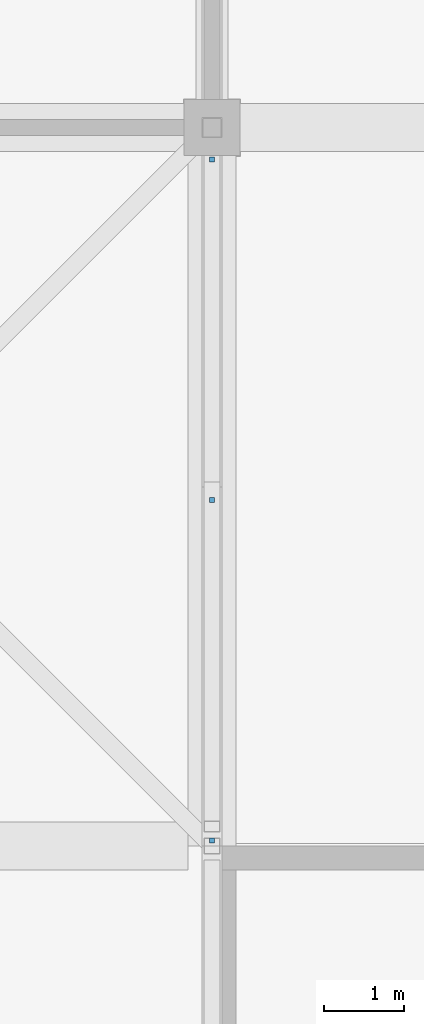
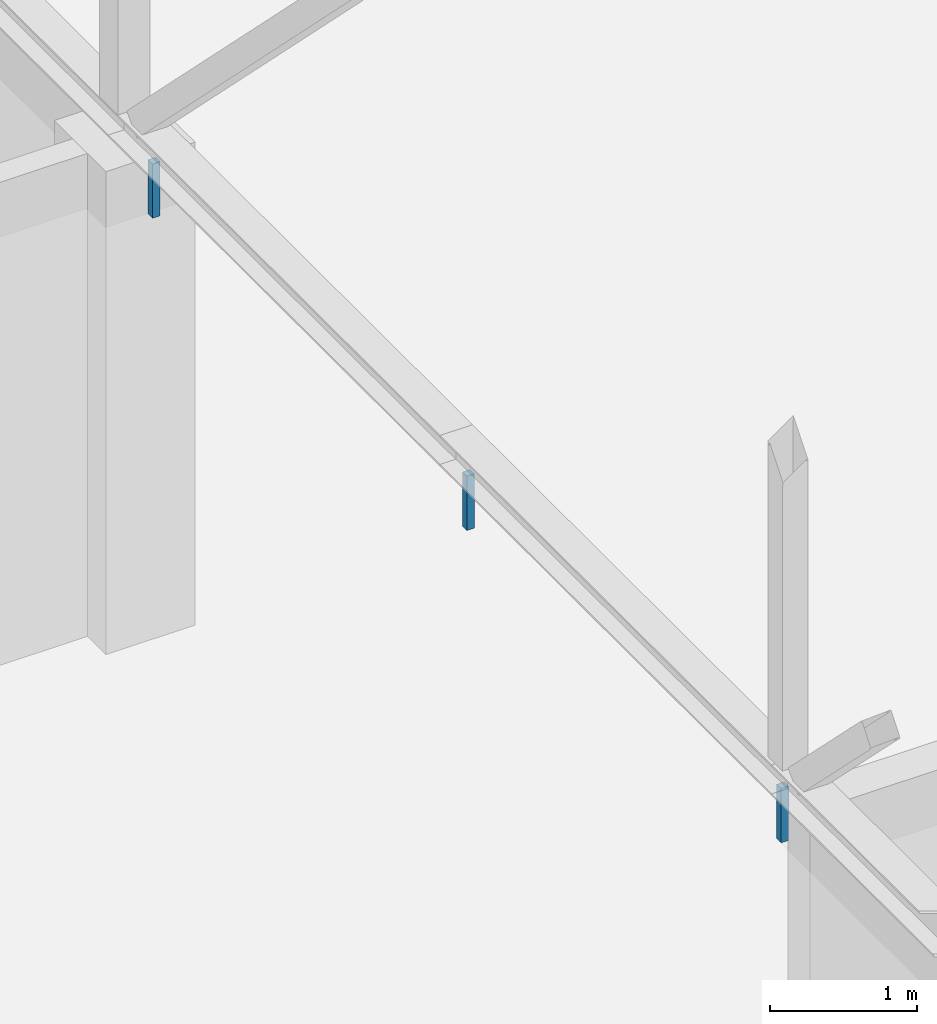
# One storey, part 193 of 646: 3 discrete accessories.
"""IFC4 building model written with IfcOpenShell, lengths in metres."""

import ifcopenshell
import ifcopenshell.guid

model = None  # the IFC model being written
_history = None  # IfcOwnerHistory: only IFC2X3 demands one
_inside = {}  # id of a spatial element -> (the spatial element, [elements in it])
_under = {}  # id of a project, library or spatial element -> (it, [spatial elements below it])
_declared = {}  # id of a project -> (the project, [libraries it declares])
_typed = {}  # id of a type object -> (the type object, [elements of that type])
_made_of = {}  # id of a material, layer set ... -> (it, [elements and type objects made of it])


def new_model(schema):
    """Start an empty IFC model of exactly this schema.

    Asked for "IFC4X3", IfcOpenShell would pick the latest addendum, in which some entities
    have other attributes; the version numbers below select the first issue.
    IFC2X3 requires an IfcOwnerHistory on every rooted entity: one is made here for all.
    """
    global model, _history
    if schema == "IFC4X3":
        model = ifcopenshell.file(schema_version=(4, 3, 0, 0))
    else:
        model = ifcopenshell.file(schema=schema)
    _inside.clear()
    _under.clear()
    _declared.clear()
    _typed.clear()
    _made_of.clear()
    _history = None
    if model.schema == "IFC2X3":
        org = make("IfcOrganization", Name="unknown")
        user = make(
            "IfcPersonAndOrganization",
            ThePerson=make("IfcPerson", FamilyName="unknown"),
            TheOrganization=org,
        )
        app = make(
            "IfcApplication",
            ApplicationDeveloper=org,
            Version="unknown",
            ApplicationFullName="unknown",
            ApplicationIdentifier="unknown",
        )
        _history = make(
            "IfcOwnerHistory",
            OwningUser=user,
            OwningApplication=app,
            ChangeAction="ADDED",
            CreationDate=0,
        )
    return model


def make(cls, **values):
    """One entity of the class cls with the attributes given. An attribute that is None is left unset."""
    return model.create_entity(
        cls, **{name: value for name, value in values.items() if value is not None}
    )


def rooted(cls, **values):
    """An entity with a GlobalId (a new one), such as an element, a storey or a relation."""
    return make(cls, GlobalId=ifcopenshell.guid.new(), OwnerHistory=_history, **values)


def si_unit(unit_type, name, prefix=None):
    """IfcSIUnit, for example si_unit("LENGTHUNIT", "METRE", prefix="MILLI")."""
    return make("IfcSIUnit", UnitType=unit_type, Prefix=prefix, Name=name)


def assignment(units):
    """IfcUnitAssignment: the units of a project."""
    return None if units is None else make("IfcUnitAssignment", Units=units)


def point(xyz):
    """IfcCartesianPoint."""
    return None if xyz is None else make("IfcCartesianPoint", Coordinates=xyz)


def direction(xyz):
    """IfcDirection."""
    return None if xyz is None else make("IfcDirection", DirectionRatios=xyz)


def frame(location, z_axis=None, x_axis=None):
    """IfcAxis2Placement3D, a coordinate frame: its origin and axes. An axis left out is left unset."""
    return make(
        "IfcAxis2Placement3D",
        Location=point(location),
        Axis=direction(z_axis),
        RefDirection=direction(x_axis),
    )


def frame_2d(location, x_axis=None):
    """IfcAxis2Placement2D, a coordinate frame in the plane: its origin and x axis."""
    return make(
        "IfcAxis2Placement2D", Location=point(location), RefDirection=direction(x_axis)
    )


def origin():
    """The frame at (0, 0, 0) with its axes left unset."""
    return frame((0.0, 0.0, 0.0))


def origin_2d():
    """The frame at (0, 0) in the plane with its x axis left unset."""
    return frame_2d((0.0, 0.0))


def place(relative_to, where):
    """IfcLocalPlacement: puts the frame where relative to a parent placement (None: the world)."""
    return make(
        "IfcLocalPlacement", PlacementRelTo=relative_to, RelativePlacement=where
    )


def context(
    kind, dimensions, precision=None, world=None, true_north=None, identifier=None
):
    """IfcGeometricRepresentationContext, for example the 3D "Model" context."""
    return make(
        "IfcGeometricRepresentationContext",
        ContextIdentifier=identifier,
        ContextType=kind,
        CoordinateSpaceDimension=dimensions,
        Precision=precision,
        WorldCoordinateSystem=world,
        TrueNorth=true_north,
    )


def subcontext(parent, identifier, kind, view, scale=None):
    """IfcGeometricRepresentationSubContext, for example "Body" below "Model"."""
    return make(
        "IfcGeometricRepresentationSubContext",
        ContextIdentifier=identifier,
        ContextType=kind,
        ParentContext=parent,
        TargetScale=scale,
        TargetView=view,
    )


def project(units=None, contexts=None):
    """IfcProject with its units and contexts."""
    return rooted(
        "IfcProject",
        Name="project",
        RepresentationContexts=contexts,
        UnitsInContext=assignment(units),
    )


def spatial(cls, under=None, at=None, **own):
    """A site, building, storey or space (cls), placed at a placement, below another one or the project."""
    s = rooted(cls, ObjectPlacement=at, **own)
    if under is not None:
        _under.setdefault(under.id(), (under, []))[1].append(s)
    return s


def profile(cls, at=None, kind="AREA", **sizes):
    """A parametric profile (cls). Its sizes go by their IFC names, for example OverallWidth=200.0."""
    return make(cls, ProfileType=kind, Position=at, **sizes)


def rectangle(**sizes):
    """IfcRectangleProfileDef."""
    return profile("IfcRectangleProfileDef", **sizes)


def extrude(swept, where, along, depth):
    """IfcExtrudedAreaSolid: the profile swept, set in the frame where, extruded along a direction by depth."""
    return make(
        "IfcExtrudedAreaSolid",
        SweptArea=swept,
        Position=where,
        ExtrudedDirection=direction(along),
        Depth=depth,
    )


def shape(context_of_items, identifier, shape_type, items):
    """IfcShapeRepresentation: the items that make up one representation, for example the "Body"."""
    return make(
        "IfcShapeRepresentation",
        ContextOfItems=context_of_items,
        RepresentationIdentifier=identifier,
        RepresentationType=shape_type,
        Items=items,
    )


def material(Name=None, Category=None):
    """IfcMaterial."""
    return make("IfcMaterial", Name=Name, Category=Category)


def made_of(thing, what):
    """Note that an element or type object is made of a material, layer set ...; save() writes the relation."""
    if what is not None:
        _made_of.setdefault(what.id(), (what, []))[1].append(thing)
    return thing


def type_object(cls, material=None, **own):
    """A type object (cls), such as IfcWallType, which elements share."""
    return made_of(rooted(cls, **own), material)


def element(
    cls,
    number,
    at=None,
    inside=None,
    cuts=None,
    type_object=None,
    material=None,
    context=None,
    identifier="Body",
    shape_type=None,
    held_by="IfcProductDefinitionShape",
    body=None,
    shapes=None,
    **own,
):
    """One element of the class cls, such as IfcWall. Its Tag is "e" and its number.

    at: its placement. inside: the storey or other place that contains it. cuts: it is an
    opening in that element (IfcRelVoidsElement). A single representation is given by context,
    identifier, shape_type and body (its items); several are given by shapes. held_by: the class
    of the entity that holds the representations. save() writes the other relations.
    """
    e = rooted(cls, Tag="e%d" % number, ObjectPlacement=at, **own)
    if body is not None:
        shapes = [shape(context, identifier, shape_type, body)]
    if shapes is not None:
        e.Representation = make(held_by, Representations=shapes)
    if inside is not None:
        _inside.setdefault(inside.id(), (inside, []))[1].append(e)
    if cuts is not None:
        rooted(
            "IfcRelVoidsElement", RelatingBuildingElement=cuts, RelatedOpeningElement=e
        )
    if type_object is not None:
        _typed.setdefault(type_object.id(), (type_object, []))[1].append(e)
    return made_of(e, material)


def aggregate(whole, parts):
    """IfcRelAggregates: a whole, such as a stair, and the parts it consists of."""
    return rooted("IfcRelAggregates", RelatingObject=whole, RelatedObjects=parts)


def save(model, path):
    """Write the relations noted so far, then the file.

    IfcRelAggregates (storeys below a building ...), IfcRelContainedInSpatialStructure (elements
    in a storey), IfcRelDefinesByType, IfcRelAssociatesMaterial and IfcRelDeclares: one each for
    every whole, place, type object, material and project.
    """
    for whole, parts in _under.values():
        aggregate(whole, parts)
    for where, things in _inside.values():
        rooted(
            "IfcRelContainedInSpatialStructure",
            RelatedElements=things,
            RelatingStructure=where,
        )
    for kind, things in _typed.values():
        rooted("IfcRelDefinesByType", RelatedObjects=things, RelatingType=kind)
    for what, things in _made_of.values():
        rooted("IfcRelAssociatesMaterial", RelatedObjects=things, RelatingMaterial=what)
    for by, libraries in _declared.values():
        rooted("IfcRelDeclares", RelatingContext=by, RelatedDefinitions=libraries)
    model.write(path)


model = new_model("IFC4")

# Units and contexts
model_context = context("Model", 3, precision=1e-05, world=origin(), true_north=direction((0.0, 1.0)))
body_context = subcontext(model_context, "Body", "Model", "MODEL_VIEW")
ifc_project = project(units=[si_unit("LENGTHUNIT", "METRE"), si_unit("AREAUNIT", "SQUARE_METRE"), si_unit("VOLUMEUNIT", "CUBIC_METRE"), si_unit("PLANEANGLEUNIT", "RADIAN"), si_unit("MASSUNIT", "GRAM", prefix="KILO")], contexts=[model_context])

# Site, building, storey
site_placement = place(None, origin())
site = spatial("IfcSite", under=ifc_project, at=site_placement, CompositionType="ELEMENT")
building_placement = place(site_placement, origin())
building = spatial("IfcBuilding", under=site, at=building_placement, Name="Silverbay Arena", CompositionType="ELEMENT")
storey_placement = place(building_placement, frame((0.0, 0.0, 33.5)))
storey = spatial("IfcBuildingStorey", under=building, at=storey_placement, Name="L05", CompositionType="ELEMENT", Elevation=33.5)

# Discrete accessories
ifc_material = material(Name="Steel S355", Category="steel")
discrete_accessory_type = type_object("IfcDiscreteAccessoryType", Name="Ceiling hanger", PredefinedType="BRACKET", material=ifc_material)
for number, where, z_axis, x_axis, name in (
    (1, (171.0, 45.070068359375, 3.5498046875), (0.0, 0.0, 1.0), (1.0, 0.0, 0.0), "Ceiling hanger"),
    (2, (171.0, 49.3349609375, 3.5498046875), (0.0, 0.0, 1.0), (1.0, 0.0, 0.0), "Ceiling hanger"),
    (3, (171.0, 53.60009765625, 3.5498046875), (0.0, 0.0, 1.0), (1.0, 0.0, 0.0), "Ceiling hanger"),
):
    element("IfcDiscreteAccessory", number, at=place(storey_placement, frame(where, z_axis=z_axis, x_axis=x_axis)), inside=storey, type_object=discrete_accessory_type, Name=name, PredefinedType="BRACKET", context=body_context, shape_type="SweptSolid", body=[
        extrude(rectangle(XDim=0.06005859375, YDim=0.06005859375, at=origin_2d()), origin(), (0.0, 0.0, 1.0), 0.449951171875),
    ])

save(model, "model.ifc")
